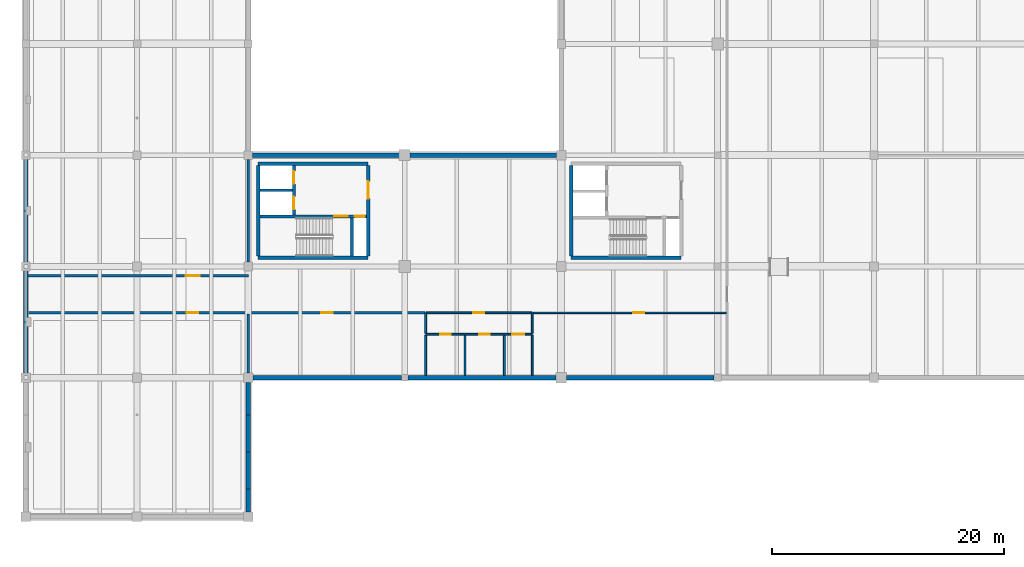
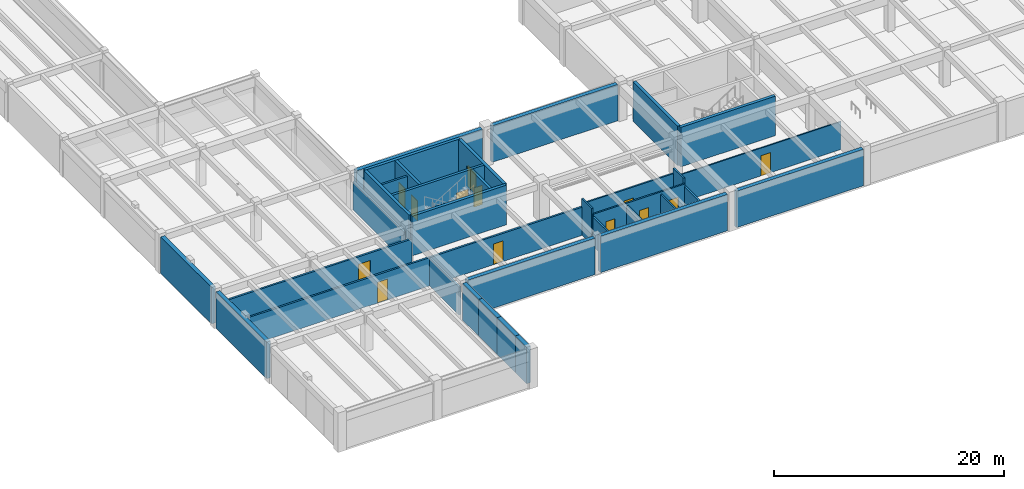
# One storey, part 9 of 28: 34 walls, 13 doors, 13 openings.
"""IFC4 building model written with IfcOpenShell, lengths in metres."""

from ifc_helpers import new_model, si_unit, direction, frame, frame_2d, origin, place, context, subcontext, project, spatial, rectangle, extrude, material, layer, layer_set, type_object, element, fill, save


model = new_model("IFC4")

# Units and contexts
model_context = context("Model", 3, precision=1e-05, world=origin(), true_north=direction((0.0, 1.0)))
body_context = subcontext(model_context, "Body", "Model", "MODEL_VIEW")
ifc_project = project(units=[si_unit("LENGTHUNIT", "METRE"), si_unit("AREAUNIT", "SQUARE_METRE"), si_unit("VOLUMEUNIT", "CUBIC_METRE"), si_unit("PLANEANGLEUNIT", "RADIAN"), si_unit("MASSUNIT", "GRAM", prefix="KILO")], contexts=[model_context])

# Site, building, storey
site_placement = place(None, origin())
site = spatial("IfcSite", under=ifc_project, at=site_placement, CompositionType="ELEMENT")
building_placement = place(site_placement, origin())
building = spatial("IfcBuilding", under=site, at=building_placement, Name="Fikremerkos Civic Library", CompositionType="ELEMENT")
storey_placement = place(building_placement, frame((0.0, 0.0, -4.199951171875)))
storey = spatial("IfcBuildingStorey", under=building, at=storey_placement, Name="B01", CompositionType="ELEMENT", Elevation=-4.199951171875)

# Walls
ifc_material_1 = material(Name="Concrete C40/50", Category="concrete")
ifc_layer_1 = layer(ifc_material_1, 0.39990234375, Name="Concrete C40/50")
ifc_layer_set_1 = layer_set([ifc_layer_1], Name="Concrete C40/50")
wall_type_1 = type_object("IfcWallType", Name="Basement retaining wall BRW-02 400", PredefinedType="USERDEFINED", material=ifc_layer_set_1)
wall_1_placement = place(storey_placement, frame((0.0, 12.39794921875, 0.0), z_axis=(0.0, 0.0, 1.0), x_axis=(0.0, 1.0, 0.0)))
element("IfcWall", 1, at=wall_1_placement, inside=storey, type_object=wall_type_1, Name="Basement retaining wall BRW-02 B01 #89", ObjectType="RETAINING WALL", PredefinedType="USERDEFINED", context=body_context, shape_type="SweptSolid", body=[
    extrude(rectangle(XDim=8.8291015625, YDim=0.39990234375, at=frame_2d((4.41455078125, 0.0))), origin(), (0.0, 0.0, 1.0), 3.8798828125),
])
wall_2_placement = place(storey_placement, frame((0.0, 21.972900390625, 0.0), z_axis=(0.0, 0.0, 1.0), x_axis=(0.0, 1.0, 0.0)))
element("IfcWall", 2, at=wall_2_placement, inside=storey, type_object=wall_type_1, Name="Basement retaining wall BRW-02 B01 #90", ObjectType="RETAINING WALL", PredefinedType="USERDEFINED", context=body_context, shape_type="SweptSolid", body=[
    extrude(rectangle(XDim=8.879150390625, YDim=0.39990234375, at=frame_2d((4.439453125, 0.0))), origin(), (0.0, 0.0, 1.0), 3.8798828125),
])
wall_3_placement = place(storey_placement, frame((19.548095703125, 31.199951171875, 0.0), z_axis=(0.0, 0.0, 1.0), x_axis=(1.0, 0.0, 0.0)))
element("IfcWall", 3, at=wall_3_placement, inside=storey, type_object=wall_type_1, Name="Basement retaining wall BRW-02 B01 #105", ObjectType="RETAINING WALL", PredefinedType="USERDEFINED", context=body_context, shape_type="SweptSolid", body=[
    extrude(rectangle(XDim=12.678955078125, YDim=0.39990234375, at=frame_2d((6.33935546875, 0.0))), origin(), (0.0, 0.0, 1.0), 3.85986328125),
])
wall_4_placement = place(storey_placement, frame((33.173095703125, 31.199951171875, 0.0), z_axis=(0.0, 0.0, 1.0), x_axis=(1.0, 0.0, 0.0)))
element("IfcWall", 4, at=wall_4_placement, inside=storey, type_object=wall_type_1, Name="Basement retaining wall BRW-02 B01 #106", ObjectType="RETAINING WALL", PredefinedType="USERDEFINED", context=body_context, shape_type="SweptSolid", body=[
    extrude(rectangle(XDim=12.62890625, YDim=0.39990234375, at=frame_2d((6.314453125, 0.0))), origin(), (0.0, 0.0, 1.0), 3.85986328125),
])
wall_5_placement = place(storey_placement, frame((59.376953125, 12.0, 0.0), z_axis=(0.0, 0.0, 1.0), x_axis=(-1.0, 0.0, 0.0)))
element("IfcWall", 5, at=wall_5_placement, inside=storey, type_object=wall_type_1, Name="Basement retaining wall BRW-02 B01 #159", ObjectType="RETAINING WALL", PredefinedType="USERDEFINED", context=body_context, shape_type="SweptSolid", body=[
    extrude(rectangle(XDim=12.72900390625, YDim=0.39990234375, at=frame_2d((6.364501953125, 0.0))), origin(), (0.0, 0.0, 1.0), 3.85986328125),
])
wall_6_placement = place(storey_placement, frame((45.751953125, 12.0, 0.0), z_axis=(0.0, 0.0, 1.0), x_axis=(-1.0, 0.0, 0.0)))
element("IfcWall", 6, at=wall_6_placement, inside=storey, type_object=wall_type_1, Name="Basement retaining wall BRW-02 B01 #160", ObjectType="RETAINING WALL", PredefinedType="USERDEFINED", context=body_context, shape_type="SweptSolid", body=[
    extrude(rectangle(XDim=12.779052734375, YDim=0.39990234375, at=frame_2d((6.3896484375, 0.0))), origin(), (0.0, 0.0, 1.0), 3.85986328125),
])
wall_7_placement = place(storey_placement, frame((32.427001953125, 12.0, 0.0), z_axis=(0.0, 0.0, 1.0), x_axis=(-1.0, 0.0, 0.0)))
element("IfcWall", 7, at=wall_7_placement, inside=storey, type_object=wall_type_1, Name="Basement retaining wall BRW-02 B01 #161", ObjectType="RETAINING WALL", PredefinedType="USERDEFINED", context=body_context, shape_type="SweptSolid", body=[
    extrude(rectangle(XDim=12.8291015625, YDim=0.39990234375, at=frame_2d((6.41455078125, 0.0))), origin(), (0.0, 0.0, 1.0), 3.85986328125),
])
wall_8_placement = place(storey_placement, frame((19.199951171875, 11.60205078125, 0.0), z_axis=(0.0, 0.0, 1.0), x_axis=(0.0, -1.0, 0.0)))
element("IfcWall", 8, at=wall_8_placement, inside=storey, type_object=wall_type_1, Name="Basement retaining wall BRW-02 B01 #162", ObjectType="RETAINING WALL", PredefinedType="USERDEFINED", context=body_context, shape_type="SweptSolid", body=[
    extrude(rectangle(XDim=2.800048828125, YDim=0.39990234375, at=frame_2d((1.39990234375, 0.0))), origin(), (0.0, 0.0, 1.0), 3.8798828125),
])
wall_9_placement = place(storey_placement, frame((19.199951171875, 8.798095703125, 0.0), z_axis=(0.0, 0.0, 1.0), x_axis=(0.0, -1.0, 0.0)))
element("IfcWall", 9, at=wall_9_placement, inside=storey, type_object=wall_type_1, Name="Basement retaining wall BRW-02 B01 #163", ObjectType="RETAINING WALL", PredefinedType="USERDEFINED", context=body_context, shape_type="SweptSolid", body=[
    extrude(rectangle(XDim=3.196044921875, YDim=0.39990234375, at=frame_2d((1.59814453125, 0.0))), origin(), (0.0, 0.0, 1.0), 3.8798828125),
])
wall_10_placement = place(storey_placement, frame((19.199951171875, 5.597900390625, 0.0), z_axis=(0.0, 0.0, 1.0), x_axis=(0.0, -1.0, 0.0)))
element("IfcWall", 10, at=wall_10_placement, inside=storey, type_object=wall_type_1, Name="Basement retaining wall BRW-02 B01 #164", ObjectType="RETAINING WALL", PredefinedType="USERDEFINED", context=body_context, shape_type="SweptSolid", body=[
    extrude(rectangle(XDim=3.19580078125, YDim=0.39990234375, at=frame_2d((1.597900390625, 0.0))), origin(), (0.0, 0.0, 1.0), 3.8798828125),
])
wall_11_placement = place(storey_placement, frame((19.199951171875, 2.39794921875, 0.0), z_axis=(0.0, 0.0, 1.0), x_axis=(0.0, -1.0, 0.0)))
element("IfcWall", 11, at=wall_11_placement, inside=storey, type_object=wall_type_1, Name="Basement retaining wall BRW-02 B01 #165", ObjectType="RETAINING WALL", PredefinedType="USERDEFINED", context=body_context, shape_type="SweptSolid", body=[
    extrude(rectangle(XDim=1.974853515625, YDim=0.39990234375, at=frame_2d((0.9873046875, 0.0))), origin(), (0.0, 0.0, 1.0), 3.8798828125),
])
ifc_layer_2 = layer(ifc_material_1, 0.300048828125, Name="Concrete C40/50")
ifc_layer_set_2 = layer_set([ifc_layer_2], Name="Concrete C40/50")
wall_type_2 = type_object("IfcWallType", Name="Core shear wall CSW-01 300", PredefinedType="SHEAR", material=ifc_layer_set_2)
for number, where, z_axis, x_axis, name in (
    (12, (29.550048828125, 22.35009765625, 0.0), (0.0, 0.0, 1.0), (-1.0, 0.0, 0.0), "Core K1 south shear wall B01"),
    (13, (20.050048828125, 30.449951171875, 0.0), (0.0, 0.0, 1.0), (1.0, 0.0, 0.0), "Core K1 north shear wall B01"),
):
    element("IfcWall", number, at=place(storey_placement, frame(where, z_axis=z_axis, x_axis=x_axis)), inside=storey, type_object=wall_type_2, Name=name, PredefinedType="SHEAR", context=body_context, shape_type="SweptSolid", body=[
        extrude(rectangle(XDim=9.5, YDim=0.300048828125, at=frame_2d((4.75, 0.0))), origin(), (0.0, 0.0, 1.0), 4.199951171875),
    ])
wall_12_placement = place(storey_placement, frame((20.050048828125, 22.501953125, 0.0), z_axis=(0.0, 0.0, 1.0), x_axis=(0.0, 1.0, 0.0)))
element("IfcWall", 14, at=wall_12_placement, inside=storey, type_object=wall_type_2, Name="Core K1 west shear wall B01", PredefinedType="SHEAR", context=body_context, shape_type="SweptSolid", body=[
    extrude(rectangle(XDim=7.796142578125, YDim=0.300048828125, at=frame_2d((3.89794921875, 0.0))), origin(), (0.0, 0.0, 1.0), 4.199951171875),
])

# Wall, opening, door
wall_13_placement = place(storey_placement, frame((29.550048828125, 30.298095703125, 0.0), z_axis=(0.0, 0.0, 1.0), x_axis=(0.0, -1.0, 0.0)))
wall_13 = element("IfcWall", 15, at=wall_13_placement, inside=storey, type_object=wall_type_2, Name="Core K1 east shear wall B01", PredefinedType="SHEAR", context=body_context, shape_type="SweptSolid", body=[
    extrude(rectangle(XDim=7.796142578125, YDim=0.300048828125, at=frame_2d((3.89794921875, 0.0))), origin(), (0.0, 0.0, 1.0), 4.199951171875),
])
opening_1_placement = place(wall_13_placement, frame((1.347900390625, 0.0, 0.0)))
opening_1 = element("IfcOpeningElement", 16, at=opening_1_placement, cuts=wall_13, Name="Opening D032", PredefinedType="OPENING", context=body_context, shape_type="SweptSolid", body=[
    extrude(rectangle(XDim=1.5, YDim=2.25, at=frame_2d((0.75, 1.125))), frame((0.0, 0.159912109375, 0.0), z_axis=(0.0, -1.0, 0.0), x_axis=(1.0, 0.0, 0.0)), (0.0, 0.0, 1.0), 0.320068359375),
])
ifc_material_2 = material(Name="Hardwood timber and acoustic glass", Category="wood")
door_type_1 = type_object("IfcDoorType", Name="Pedestrian door DT-05 1500x2250", OperationType="NOTDEFINED", PredefinedType="DOOR", material=ifc_material_2)
door_1_placement = place(opening_1_placement, origin())
door_1 = element("IfcDoor", 17, at=door_1_placement, inside=storey, type_object=door_type_1, Name="Core K1 lobby fire door D032 B01", OperationType="SINGLE_SWING_LEFT", OverallHeight=2.25, OverallWidth=1.5, PredefinedType="DOOR", context=body_context, shape_type="SweptSolid", body=[
    extrude(rectangle(XDim=1.5, YDim=2.25, at=frame_2d((0.75, 1.125))), frame((0.0, 0.032470703125, 0.0), z_axis=(0.0, -1.0, 0.0), x_axis=(1.0, 0.0, 0.0)), (0.0, 0.0, 1.0), 0.06494140625),
])
fill(opening_1, door_1)

# Walls
wall_14_placement = place(storey_placement, frame((56.550048828125, 22.35009765625, 0.0), z_axis=(0.0, 0.0, 1.0), x_axis=(-1.0, 0.0, 0.0)))
element("IfcWall", 18, at=wall_14_placement, inside=storey, type_object=wall_type_2, Name="Core K3 south shear wall B01", PredefinedType="SHEAR", context=body_context, shape_type="SweptSolid", body=[
    extrude(rectangle(XDim=9.5, YDim=0.300048828125, at=frame_2d((4.75, 0.0))), origin(), (0.0, 0.0, 1.0), 4.199951171875),
])
wall_15_placement = place(storey_placement, frame((47.050048828125, 22.501953125, 0.0), z_axis=(0.0, 0.0, 1.0), x_axis=(0.0, 1.0, 0.0)))
element("IfcWall", 19, at=wall_15_placement, inside=storey, type_object=wall_type_2, Name="Core K3 west shear wall B01", PredefinedType="SHEAR", context=body_context, shape_type="SweptSolid", body=[
    extrude(rectangle(XDim=7.796142578125, YDim=0.300048828125, at=frame_2d((3.89794921875, 0.0))), origin(), (0.0, 0.0, 1.0), 4.199951171875),
])

# Wall, openings, doors
ifc_layer_3 = layer(ifc_material_1, 0.260009765625, Name="Concrete C40/50")
ifc_layer_set_3 = layer_set([ifc_layer_3], Name="Concrete C40/50")
wall_type_3 = type_object("IfcWallType", Name="Core shear wall CSW-02 260", PredefinedType="SHEAR", material=ifc_layer_set_3)
wall_16_placement = place(storey_placement, frame((20.201904296875, 25.929931640625, 0.0), z_axis=(0.0, 0.0, 1.0), x_axis=(1.0, 0.0, 0.0)))
wall_16 = element("IfcWall", 20, at=wall_16_placement, inside=storey, type_object=wall_type_3, Name="Core K1 stair compartment wall B01", PredefinedType="SHEAR", context=body_context, shape_type="SweptSolid", body=[
    extrude(rectangle(XDim=9.196044921875, YDim=0.260009765625, at=frame_2d((4.59814453125, 0.0))), origin(), (0.0, 0.0, 1.0), 4.199951171875),
])
opening_2_placement = place(wall_16_placement, frame((6.39794921875, 0.0, 0.0)))
opening_2 = element("IfcOpeningElement", 21, at=opening_2_placement, cuts=wall_16, Name="Opening D033", PredefinedType="OPENING", context=body_context, shape_type="SweptSolid", body=[
    extrude(rectangle(XDim=1.199951171875, YDim=2.199951171875, at=frame_2d((0.60009765625, 1.10009765625))), frame((0.0, 0.139892578125, 0.0), z_axis=(0.0, -1.0, 0.0), x_axis=(1.0, 0.0, 0.0)), (0.0, 0.0, 1.0), 0.280029296875),
])
opening_3_placement = place(wall_16_placement, frame((8.202880859375, 0.0, 0.0)))
opening_3 = element("IfcOpeningElement", 22, at=opening_3_placement, cuts=wall_16, Name="Opening D034", PredefinedType="OPENING", context=body_context, shape_type="SweptSolid", body=[
    extrude(rectangle(XDim=0.85009765625, YDim=2.050048828125, at=frame_2d((0.425048828125, 1.02490234375))), frame((0.0, 0.139892578125, 0.0), z_axis=(0.0, -1.0, 0.0), x_axis=(1.0, 0.0, 0.0)), (0.0, 0.0, 1.0), 0.280029296875),
])
door_type_2 = type_object("IfcDoorType", Name="Pedestrian door DT-06 1200x2200", OperationType="NOTDEFINED", PredefinedType="DOOR", material=ifc_material_2)
door_2_placement = place(opening_2_placement, origin())
door_2 = element("IfcDoor", 23, at=door_2_placement, inside=storey, type_object=door_type_2, Name="Core K1 stair fire door D033 B01", OperationType="SINGLE_SWING_LEFT", OverallHeight=2.199951171875, OverallWidth=1.199951171875, PredefinedType="DOOR", context=body_context, shape_type="SweptSolid", body=[
    extrude(rectangle(XDim=1.199951171875, YDim=2.199951171875, at=frame_2d((0.60009765625, 1.10009765625))), frame((0.0, 0.032470703125, 0.0), z_axis=(0.0, -1.0, 0.0), x_axis=(1.0, 0.0, 0.0)), (0.0, 0.0, 1.0), 0.06494140625),
])
fill(opening_2, door_2)
door_type_3 = type_object("IfcDoorType", Name="Pedestrian door DT-08 850x2050", OperationType="NOTDEFINED", PredefinedType="DOOR", material=ifc_material_2)
door_3_placement = place(opening_3_placement, origin())
door_3 = element("IfcDoor", 24, at=door_3_placement, inside=storey, type_object=door_type_3, Name="Core K1 riser access fire door D034 B01", OperationType="SINGLE_SWING_LEFT", OverallHeight=2.050048828125, OverallWidth=0.85009765625, PredefinedType="DOOR", context=body_context, shape_type="SweptSolid", body=[
    extrude(rectangle(XDim=0.85009765625, YDim=2.050048828125, at=frame_2d((0.425048828125, 1.02490234375))), frame((0.0, 0.032470703125, 0.0), z_axis=(0.0, -1.0, 0.0), x_axis=(1.0, 0.0, 0.0)), (0.0, 0.0, 1.0), 0.06494140625),
])
fill(opening_3, door_3)

# Wall
wall_17_placement = place(storey_placement, frame((28.1298828125, 22.501953125, 0.0), z_axis=(0.0, 0.0, 1.0), x_axis=(0.0, 1.0, 0.0)))
element("IfcWall", 25, at=wall_17_placement, inside=storey, type_object=wall_type_3, Name="Core K1 stair-riser shear wall B01", PredefinedType="SHEAR", context=body_context, shape_type="SweptSolid", body=[
    extrude(rectangle(XDim=3.296142578125, YDim=0.260009765625, at=frame_2d((1.64794921875, 0.0))), origin(), (0.0, 0.0, 1.0), 4.199951171875),
])

# Wall, openings, doors
wall_18_placement = place(storey_placement, frame((23.1298828125, 26.06201171875, 0.0), z_axis=(0.0, 0.0, 1.0), x_axis=(0.0, 1.0, 0.0)))
wall_18 = element("IfcWall", 26, at=wall_18_placement, inside=storey, type_object=wall_type_3, Name="Core K1 lift shaft front wall B01", PredefinedType="SHEAR", context=body_context, shape_type="SweptSolid", body=[
    extrude(rectangle(XDim=4.236083984375, YDim=0.260009765625, at=frame_2d((2.1181640625, 0.0))), origin(), (0.0, 0.0, 1.0), 4.199951171875),
])
opening_4_placement = place(wall_18_placement, frame((0.468017578125, 0.0, 0.0)))
opening_4 = element("IfcOpeningElement", 27, at=opening_4_placement, cuts=wall_18, Name="Opening LD03", PredefinedType="OPENING", context=body_context, shape_type="SweptSolid", body=[
    extrude(rectangle(XDim=1.10009765625, YDim=2.14990234375, at=frame_2d((0.550048828125, 1.074951171875))), frame((0.0, 0.139892578125, 0.0), z_axis=(0.0, -1.0, 0.0), x_axis=(1.0, 0.0, 0.0)), (0.0, 0.0, 1.0), 0.280029296875),
])
opening_5_placement = place(wall_18_placement, frame((2.66796875, 0.0, 0.0)))
opening_5 = element("IfcOpeningElement", 28, at=opening_5_placement, cuts=wall_18, Name="Opening LD04", PredefinedType="OPENING", context=body_context, shape_type="SweptSolid", body=[
    extrude(rectangle(XDim=1.10009765625, YDim=2.14990234375, at=frame_2d((0.550048828125, 1.074951171875))), frame((0.0, 0.139892578125, 0.0), z_axis=(0.0, -1.0, 0.0), x_axis=(1.0, 0.0, 0.0)), (0.0, 0.0, 1.0), 0.280029296875),
])
ifc_material_3 = material(Name="Brushed stainless steel", Category="steel")
door_type_4 = type_object("IfcDoorType", Name="Lift landing door LDT-01 1100x2150", OperationType="NOTDEFINED", PredefinedType="DOOR", material=ifc_material_3)
door_4_placement = place(opening_4_placement, origin())
door_4 = element("IfcDoor", 29, at=door_4_placement, inside=storey, type_object=door_type_4, Name="Lift LF01 sliding landing door LD03 B01", OperationType="SLIDING_TO_LEFT", OverallHeight=2.14990234375, OverallWidth=1.10009765625, PredefinedType="DOOR", context=body_context, shape_type="SweptSolid", body=[
    extrude(rectangle(XDim=1.10009765625, YDim=2.14990234375, at=frame_2d((0.550048828125, 1.074951171875))), frame((0.0, 0.032470703125, 0.0), z_axis=(0.0, -1.0, 0.0), x_axis=(1.0, 0.0, 0.0)), (0.0, 0.0, 1.0), 0.06494140625),
])
fill(opening_4, door_4)
door_5_placement = place(opening_5_placement, origin())
door_5 = element("IfcDoor", 30, at=door_5_placement, inside=storey, type_object=door_type_4, Name="Lift LF02 sliding landing door LD04 B01", OperationType="SLIDING_TO_LEFT", OverallHeight=2.14990234375, OverallWidth=1.10009765625, PredefinedType="DOOR", context=body_context, shape_type="SweptSolid", body=[
    extrude(rectangle(XDim=1.10009765625, YDim=2.14990234375, at=frame_2d((0.550048828125, 1.074951171875))), frame((0.0, 0.032470703125, 0.0), z_axis=(0.0, -1.0, 0.0), x_axis=(1.0, 0.0, 0.0)), (0.0, 0.0, 1.0), 0.06494140625),
])
fill(opening_5, door_5)

# Wall, opening, door
ifc_material_4 = material(Name="Acoustic concrete blockwork", Category="masonry")
ifc_layer_4 = layer(ifc_material_4, 0.18994140625, Name="Acoustic concrete blockwork")
ifc_layer_set_4 = layer_set([ifc_layer_4], Name="Acoustic concrete blockwork")
wall_type_4 = type_object("IfcWallType", Name="Interior partition wall IPW-01 190", PredefinedType="PARTITIONING", material=ifc_layer_set_4)
wall_19_placement = place(storey_placement, frame((0.202880859375, 20.800048828125, 0.0), z_axis=(0.0, 0.0, 1.0), x_axis=(1.0, 0.0, 0.0)))
wall_19 = element("IfcWall", 31, at=wall_19_placement, inside=storey, type_object=wall_type_4, Name="Interior wall IPW-01 B01 #48", PredefinedType="PARTITIONING", context=body_context, shape_type="SweptSolid", body=[
    extrude(rectangle(XDim=18.9970703125, YDim=0.18994140625, at=frame_2d((9.49853515625, 0.0))), origin(), (0.0, 0.0, 1.0), 3.0),
])
opening_6_placement = place(wall_19_placement, frame((13.596923828125, 0.0, 0.0)))
opening_6 = element("IfcOpeningElement", 32, at=opening_6_placement, cuts=wall_19, Name="Opening D150", PredefinedType="OPENING", context=body_context, shape_type="SweptSolid", body=[
    extrude(rectangle(XDim=1.199951171875, YDim=2.199951171875, at=frame_2d((0.60009765625, 1.10009765625))), frame((0.0, 0.10498046875, 0.0), z_axis=(0.0, -1.0, 0.0), x_axis=(1.0, 0.0, 0.0)), (0.0, 0.0, 1.0), 0.2099609375),
])
door_6_placement = place(opening_6_placement, origin())
door_6 = element("IfcDoor", 33, at=door_6_placement, inside=storey, type_object=door_type_2, Name="Interior door D150 B01", OperationType="SINGLE_SWING_RIGHT", OverallHeight=2.199951171875, OverallWidth=1.199951171875, PredefinedType="DOOR", context=body_context, shape_type="SweptSolid", body=[
    extrude(rectangle(XDim=1.199951171875, YDim=2.199951171875, at=frame_2d((0.60009765625, 1.10009765625))), frame((0.0, 0.032470703125, 0.0), z_axis=(0.0, -1.0, 0.0), x_axis=(1.0, 0.0, 0.0)), (0.0, 0.0, 1.0), 0.06494140625),
])
fill(opening_6, door_6)

# Wall
wall_20_placement = place(storey_placement, frame((19.199951171875, 21.97802734375, 0.0), z_axis=(0.0, 0.0, 1.0), x_axis=(0.0, 1.0, 0.0)))
element("IfcWall", 34, at=wall_20_placement, inside=storey, type_object=wall_type_4, Name="Interior wall IPW-01 B01 #55", PredefinedType="PARTITIONING", context=body_context, shape_type="SweptSolid", body=[
    extrude(rectangle(XDim=8.868896484375, YDim=0.18994140625, at=frame_2d((4.4345703125, 0.0))), origin(), (0.0, 0.0, 1.0), 3.0),
])

# Wall, openings, doors
wall_21_placement = place(storey_placement, frame((0.202880859375, 17.60009765625, 0.0), z_axis=(0.0, 0.0, 1.0), x_axis=(1.0, 0.0, 0.0)))
wall_21 = element("IfcWall", 35, at=wall_21_placement, inside=storey, type_object=wall_type_4, Name="Interior wall IPW-01 B01 #68", PredefinedType="PARTITIONING", context=body_context, shape_type="SweptSolid", body=[
    extrude(rectangle(XDim=34.2470703125, YDim=0.18994140625, at=frame_2d((17.12353515625, 0.0))), origin(), (0.0, 0.0, 1.0), 3.0),
])
opening_7_placement = place(wall_21_placement, frame((13.697021484375, 0.0, 0.0)))
opening_7 = element("IfcOpeningElement", 36, at=opening_7_placement, cuts=wall_21, Name="Opening D149", PredefinedType="OPENING", context=body_context, shape_type="SweptSolid", body=[
    extrude(rectangle(XDim=1.0, YDim=2.199951171875, at=frame_2d((0.5, 1.10009765625))), frame((0.0, 0.10498046875, 0.0), z_axis=(0.0, -1.0, 0.0), x_axis=(1.0, 0.0, 0.0)), (0.0, 0.0, 1.0), 0.2099609375),
])
opening_8_placement = place(wall_21_placement, frame((25.297119140625, 0.0, 0.0)))
opening_8 = element("IfcOpeningElement", 37, at=opening_8_placement, cuts=wall_21, Name="Opening D151", PredefinedType="OPENING", context=body_context, shape_type="SweptSolid", body=[
    extrude(rectangle(XDim=1.0, YDim=2.199951171875, at=frame_2d((0.5, 1.10009765625))), frame((0.0, 0.10498046875, 0.0), z_axis=(0.0, -1.0, 0.0), x_axis=(1.0, 0.0, 0.0)), (0.0, 0.0, 1.0), 0.2099609375),
])
door_type_5 = type_object("IfcDoorType", Name="Pedestrian door DT-01 1000x2200", OperationType="NOTDEFINED", PredefinedType="DOOR", material=ifc_material_2)
door_7_placement = place(opening_7_placement, origin())
door_7 = element("IfcDoor", 38, at=door_7_placement, inside=storey, type_object=door_type_5, Name="Interior door D149 B01", OperationType="SINGLE_SWING_LEFT", OverallHeight=2.199951171875, OverallWidth=1.0, PredefinedType="DOOR", context=body_context, shape_type="SweptSolid", body=[
    extrude(rectangle(XDim=1.0, YDim=2.199951171875, at=frame_2d((0.5, 1.10009765625))), frame((0.0, 0.032470703125, 0.0), z_axis=(0.0, -1.0, 0.0), x_axis=(1.0, 0.0, 0.0)), (0.0, 0.0, 1.0), 0.06494140625),
])
fill(opening_7, door_7)
door_8_placement = place(opening_8_placement, origin())
door_8 = element("IfcDoor", 39, at=door_8_placement, inside=storey, type_object=door_type_5, Name="Interior door D151 B01", OperationType="SINGLE_SWING_LEFT", OverallHeight=2.199951171875, OverallWidth=1.0, PredefinedType="DOOR", context=body_context, shape_type="SweptSolid", body=[
    extrude(rectangle(XDim=1.0, YDim=2.199951171875, at=frame_2d((0.5, 1.10009765625))), frame((0.0, 0.032470703125, 0.0), z_axis=(0.0, -1.0, 0.0), x_axis=(1.0, 0.0, 0.0)), (0.0, 0.0, 1.0), 0.06494140625),
])
fill(opening_8, door_8)

# Wall
wall_22_placement = place(storey_placement, frame((19.199951171875, 12.403076171875, 0.0), z_axis=(0.0, 0.0, 1.0), x_axis=(0.0, 1.0, 0.0)))
element("IfcWall", 40, at=wall_22_placement, inside=storey, type_object=wall_type_4, Name="Interior wall IPW-01 B01 #72", PredefinedType="PARTITIONING", context=body_context, shape_type="SweptSolid", body=[
    extrude(rectangle(XDim=5.092041015625, YDim=0.18994140625, at=frame_2d((2.5458984375, 0.0))), origin(), (0.0, 0.0, 1.0), 2.969970703125),
])

# Wall, opening, door
ifc_material_5 = material(Name="Acoustic gypsum stud partition")
ifc_layer_5 = layer(ifc_material_5, 0.14990234375, Name="Acoustic gypsum stud partition")
ifc_layer_set_5 = layer_set([ifc_layer_5], Name="Acoustic gypsum stud partition")
wall_type_5 = type_object("IfcWallType", Name="Interior partition wall IPW-02 150", PredefinedType="PARTITIONING", material=ifc_layer_set_5)
wall_23_placement = place(storey_placement, frame((34.550048828125, 17.60009765625, 0.0), z_axis=(0.0, 0.0, 1.0), x_axis=(1.0, 0.0, 0.0)))
wall_23 = element("IfcWall", 41, at=wall_23_placement, inside=storey, type_object=wall_type_5, Name="Interior wall IPW-02 B01 #69", PredefinedType="PARTITIONING", context=body_context, shape_type="SweptSolid", body=[
    extrude(rectangle(XDim=9.099853515625, YDim=0.14990234375, at=frame_2d((4.5498046875, 0.0))), origin(), (0.0, 0.0, 1.0), 3.329833984375),
])
opening_9_placement = place(wall_23_placement, frame((4.074951171875, 0.0, 0.0)))
opening_9 = element("IfcOpeningElement", 42, at=opening_9_placement, cuts=wall_23, Name="Opening D145", PredefinedType="OPENING", context=body_context, shape_type="SweptSolid", body=[
    extrude(rectangle(XDim=0.949951171875, YDim=2.14990234375, at=frame_2d((0.47509765625, 1.074951171875))), frame((0.0, 0.0849609375, 0.0), z_axis=(0.0, -1.0, 0.0), x_axis=(1.0, 0.0, 0.0)), (0.0, 0.0, 1.0), 0.169921875),
])
door_type_6 = type_object("IfcDoorType", Name="Pedestrian door DT-02 950x2150", OperationType="NOTDEFINED", PredefinedType="DOOR", material=ifc_material_2)
door_9_placement = place(opening_9_placement, origin())
door_9 = element("IfcDoor", 43, at=door_9_placement, inside=storey, type_object=door_type_6, Name="Interior door D145 B01", OperationType="SINGLE_SWING_LEFT", OverallHeight=2.14990234375, OverallWidth=0.949951171875, PredefinedType="DOOR", context=body_context, shape_type="SweptSolid", body=[
    extrude(rectangle(XDim=0.949951171875, YDim=2.14990234375, at=frame_2d((0.47509765625, 1.074951171875))), frame((0.0, 0.032470703125, 0.0), z_axis=(0.0, -1.0, 0.0), x_axis=(1.0, 0.0, 0.0)), (0.0, 0.0, 1.0), 0.06494140625),
])
fill(opening_9, door_9)

ifc_material_6 = material(Name="Gypsum metal stud partition")
ifc_layer_6 = layer(ifc_material_6, 0.1298828125, Name="Gypsum metal stud partition")
ifc_layer_set_6 = layer_set([ifc_layer_6], Name="Gypsum metal stud partition")
wall_type_6 = type_object("IfcWallType", Name="Interior partition wall IPW-03 130", PredefinedType="PARTITIONING", material=ifc_layer_set_6)
wall_24_placement = place(storey_placement, frame((43.75, 17.60009765625, 0.0), z_axis=(0.0, 0.0, 1.0), x_axis=(1.0, 0.0, 0.0)))
wall_24 = element("IfcWall", 44, at=wall_24_placement, inside=storey, type_object=wall_type_6, Name="Interior wall IPW-03 B01 #70", PredefinedType="PARTITIONING", context=body_context, shape_type="SweptSolid", body=[
    extrude(rectangle(XDim=16.699951171875, YDim=0.1298828125, at=frame_2d((8.35009765625, 0.0))), origin(), (0.0, 0.0, 1.0), 2.949951171875),
])
opening_10_placement = place(wall_24_placement, frame((8.675048828125, 0.0, 0.0)))
opening_10 = element("IfcOpeningElement", 45, at=opening_10_placement, cuts=wall_24, Name="Opening D152", PredefinedType="OPENING", context=body_context, shape_type="SweptSolid", body=[
    extrude(rectangle(XDim=0.949951171875, YDim=2.14990234375, at=frame_2d((0.47509765625, 1.074951171875))), frame((0.0, 0.074951171875, 0.0), z_axis=(0.0, -1.0, 0.0), x_axis=(1.0, 0.0, 0.0)), (0.0, 0.0, 1.0), 0.14990234375),
])
door_10_placement = place(opening_10_placement, origin())
door_10 = element("IfcDoor", 46, at=door_10_placement, inside=storey, type_object=door_type_6, Name="Interior door D152 B01", OperationType="SINGLE_SWING_RIGHT", OverallHeight=2.14990234375, OverallWidth=0.949951171875, PredefinedType="DOOR", context=body_context, shape_type="SweptSolid", body=[
    extrude(rectangle(XDim=0.949951171875, YDim=2.14990234375, at=frame_2d((0.47509765625, 1.074951171875))), frame((0.0, 0.032470703125, 0.0), z_axis=(0.0, -1.0, 0.0), x_axis=(1.0, 0.0, 0.0)), (0.0, 0.0, 1.0), 0.06494140625),
])
fill(opening_10, door_10)

# Wall
ifc_material_7 = material(Name="Concrete C35/45", Category="concrete")
ifc_layer_7 = layer(ifc_material_7, 0.199951171875, Name="Concrete C35/45")
ifc_layer_set_7 = layer_set([ifc_layer_7], Name="Concrete C35/45")
wall_type_7 = type_object("IfcWallType", Name="Service duct wall SDW-01 200", PredefinedType="PLUMBINGWALL", material=ifc_layer_set_7)
wall_25_placement = place(storey_placement, frame((20.201904296875, 28.179931640625, 0.0), z_axis=(0.0, 0.0, 1.0), x_axis=(1.0, 0.0, 0.0)))
element("IfcWall", 47, at=wall_25_placement, inside=storey, type_object=wall_type_7, Name="Core K1 inter-lift shaft wall B01", PredefinedType="PLUMBINGWALL", context=body_context, shape_type="SweptSolid", body=[
    extrude(rectangle(XDim=2.796142578125, YDim=0.199951171875, at=frame_2d((1.39794921875, 0.0))), origin(), (0.0, 0.0, 1.0), 3.85986328125),
])

# Wall, openings, doors
ifc_material_8 = material(Name="Aerated concrete blockwork", Category="masonry")
ifc_layer_8 = layer(ifc_material_8, 0.159912109375, Name="Aerated concrete blockwork")
ifc_layer_set_8 = layer_set([ifc_layer_8], Name="Aerated concrete blockwork")
wall_type_8 = type_object("IfcWallType", Name="Service duct wall SDW-02 160", PredefinedType="PLUMBINGWALL", material=ifc_layer_set_8)
wall_26_placement = place(storey_placement, frame((34.5, 15.75, 0.0), z_axis=(0.0, 0.0, 1.0), x_axis=(1.0, 0.0, 0.0)))
wall_26 = element("IfcWall", 48, at=wall_26_placement, inside=storey, type_object=wall_type_8, Name="Interior wall SDW-02 B01 #41", PredefinedType="PLUMBINGWALL", context=body_context, shape_type="SweptSolid", body=[
    extrude(rectangle(XDim=9.199951171875, YDim=0.159912109375, at=frame_2d((4.60009765625, 0.0))), origin(), (0.0, 0.0, 1.0), 3.329833984375),
])
opening_11_placement = place(wall_26_placement, frame((1.25, 0.0, 0.0)))
opening_11 = element("IfcOpeningElement", 49, at=opening_11_placement, cuts=wall_26, Name="Opening D146", PredefinedType="OPENING", context=body_context, shape_type="SweptSolid", body=[
    extrude(rectangle(XDim=0.89990234375, YDim=2.10009765625, at=frame_2d((0.449951171875, 1.050048828125))), frame((0.0, 0.08984375, 0.0), z_axis=(0.0, -1.0, 0.0), x_axis=(1.0, 0.0, 0.0)), (0.0, 0.0, 1.0), 0.179931640625),
])
opening_12_placement = place(wall_26_placement, frame((4.64990234375, 0.0, 0.0)))
opening_12 = element("IfcOpeningElement", 50, at=opening_12_placement, cuts=wall_26, Name="Opening D147", PredefinedType="OPENING", context=body_context, shape_type="SweptSolid", body=[
    extrude(rectangle(XDim=0.89990234375, YDim=2.10009765625, at=frame_2d((0.449951171875, 1.050048828125))), frame((0.0, 0.08984375, 0.0), z_axis=(0.0, -1.0, 0.0), x_axis=(1.0, 0.0, 0.0)), (0.0, 0.0, 1.0), 0.179931640625),
])
opening_13_placement = place(wall_26_placement, frame((7.47509765625, 0.0, 0.0)))
opening_13 = element("IfcOpeningElement", 51, at=opening_13_placement, cuts=wall_26, Name="Opening D148", PredefinedType="OPENING", context=body_context, shape_type="SweptSolid", body=[
    extrude(rectangle(XDim=1.050048828125, YDim=2.14990234375, at=frame_2d((0.52490234375, 1.074951171875))), frame((0.0, 0.08984375, 0.0), z_axis=(0.0, -1.0, 0.0), x_axis=(1.0, 0.0, 0.0)), (0.0, 0.0, 1.0), 0.179931640625),
])
door_type_7 = type_object("IfcDoorType", Name="Pedestrian door DT-03 900x2100", OperationType="NOTDEFINED", PredefinedType="DOOR", material=ifc_material_2)
door_11_placement = place(opening_11_placement, origin())
door_11 = element("IfcDoor", 52, at=door_11_placement, inside=storey, type_object=door_type_7, Name="Interior door D146 B01", OperationType="SINGLE_SWING_RIGHT", OverallHeight=2.10009765625, OverallWidth=0.89990234375, PredefinedType="DOOR", context=body_context, shape_type="SweptSolid", body=[
    extrude(rectangle(XDim=0.89990234375, YDim=2.10009765625, at=frame_2d((0.449951171875, 1.050048828125))), frame((0.0, 0.032470703125, 0.0), z_axis=(0.0, -1.0, 0.0), x_axis=(1.0, 0.0, 0.0)), (0.0, 0.0, 1.0), 0.06494140625),
])
fill(opening_11, door_11)
door_12_placement = place(opening_12_placement, origin())
door_12 = element("IfcDoor", 53, at=door_12_placement, inside=storey, type_object=door_type_7, Name="Interior door D147 B01", OperationType="SINGLE_SWING_LEFT", OverallHeight=2.10009765625, OverallWidth=0.89990234375, PredefinedType="DOOR", context=body_context, shape_type="SweptSolid", body=[
    extrude(rectangle(XDim=0.89990234375, YDim=2.10009765625, at=frame_2d((0.449951171875, 1.050048828125))), frame((0.0, 0.032470703125, 0.0), z_axis=(0.0, -1.0, 0.0), x_axis=(1.0, 0.0, 0.0)), (0.0, 0.0, 1.0), 0.06494140625),
])
fill(opening_12, door_12)
door_type_8 = type_object("IfcDoorType", Name="Pedestrian door DT-04 1050x2150", OperationType="NOTDEFINED", PredefinedType="DOOR", material=ifc_material_2)
door_13_placement = place(opening_13_placement, origin())
door_13 = element("IfcDoor", 54, at=door_13_placement, inside=storey, type_object=door_type_8, Name="Interior door D148 B01", OperationType="SINGLE_SWING_RIGHT", OverallHeight=2.14990234375, OverallWidth=1.050048828125, PredefinedType="DOOR", context=body_context, shape_type="SweptSolid", body=[
    extrude(rectangle(XDim=1.050048828125, YDim=2.14990234375, at=frame_2d((0.52490234375, 1.074951171875))), frame((0.0, 0.032470703125, 0.0), z_axis=(0.0, -1.0, 0.0), x_axis=(1.0, 0.0, 0.0)), (0.0, 0.0, 1.0), 0.06494140625),
])
fill(opening_13, door_13)

# Walls
wall_27_placement = place(storey_placement, frame((34.5, 12.202880859375, 0.0), z_axis=(0.0, 0.0, 1.0), x_axis=(0.0, 1.0, 0.0)))
element("IfcWall", 55, at=wall_27_placement, inside=storey, type_object=wall_type_8, Name="Interior wall SDW-02 B01 #42", PredefinedType="PLUMBINGWALL", context=body_context, shape_type="SweptSolid", body=[
    extrude(rectangle(XDim=3.442138671875, YDim=0.159912109375, at=frame_2d((1.72119140625, 0.0))), origin(), (0.0, 0.0, 1.0), 3.099853515625),
])
wall_28_placement = place(storey_placement, frame((34.5, 15.85498046875, 0.0), z_axis=(0.0, 0.0, 1.0), x_axis=(0.0, 1.0, 0.0)))
element("IfcWall", 56, at=wall_28_placement, inside=storey, type_object=wall_type_8, Name="Interior wall SDW-02 B01 #43", PredefinedType="PLUMBINGWALL", context=body_context, shape_type="SweptSolid", body=[
    extrude(rectangle(XDim=1.7451171875, YDim=0.159912109375, at=frame_2d((0.87255859375, 0.0))), origin(), (0.0, 0.0, 1.0), 3.85986328125),
])
for number, where, z_axis, x_axis, name in (
    (57, (37.89990234375, 12.202880859375, 0.0), (0.0, 0.0, 1.0), (0.0, 1.0, 0.0), "Interior wall SDW-02 B01 #44"),
    (58, (41.300048828125, 12.202880859375, 0.0), (0.0, 0.0, 1.0), (0.0, 1.0, 0.0), "Interior wall SDW-02 B01 #45"),
    (59, (43.699951171875, 12.202880859375, 0.0), (0.0, 0.0, 1.0), (0.0, 1.0, 0.0), "Interior wall SDW-02 B01 #46"),
):
    element("IfcWall", number, at=place(storey_placement, frame(where, z_axis=z_axis, x_axis=x_axis)), inside=storey, type_object=wall_type_8, Name=name, PredefinedType="PLUMBINGWALL", context=body_context, shape_type="SweptSolid", body=[
        extrude(rectangle(XDim=3.442138671875, YDim=0.159912109375, at=frame_2d((1.72119140625, 0.0))), origin(), (0.0, 0.0, 1.0), 3.099853515625),
    ])
wall_29_placement = place(storey_placement, frame((43.699951171875, 15.85498046875, 0.0), z_axis=(0.0, 0.0, 1.0), x_axis=(0.0, 1.0, 0.0)))
element("IfcWall", 60, at=wall_29_placement, inside=storey, type_object=wall_type_8, Name="Interior wall SDW-02 B01 #47", PredefinedType="PLUMBINGWALL", context=body_context, shape_type="SweptSolid", body=[
    extrude(rectangle(XDim=1.7451171875, YDim=0.159912109375, at=frame_2d((0.87255859375, 0.0))), origin(), (0.0, 0.0, 1.0), 3.85986328125),
])

save(model, "model.ifc")
